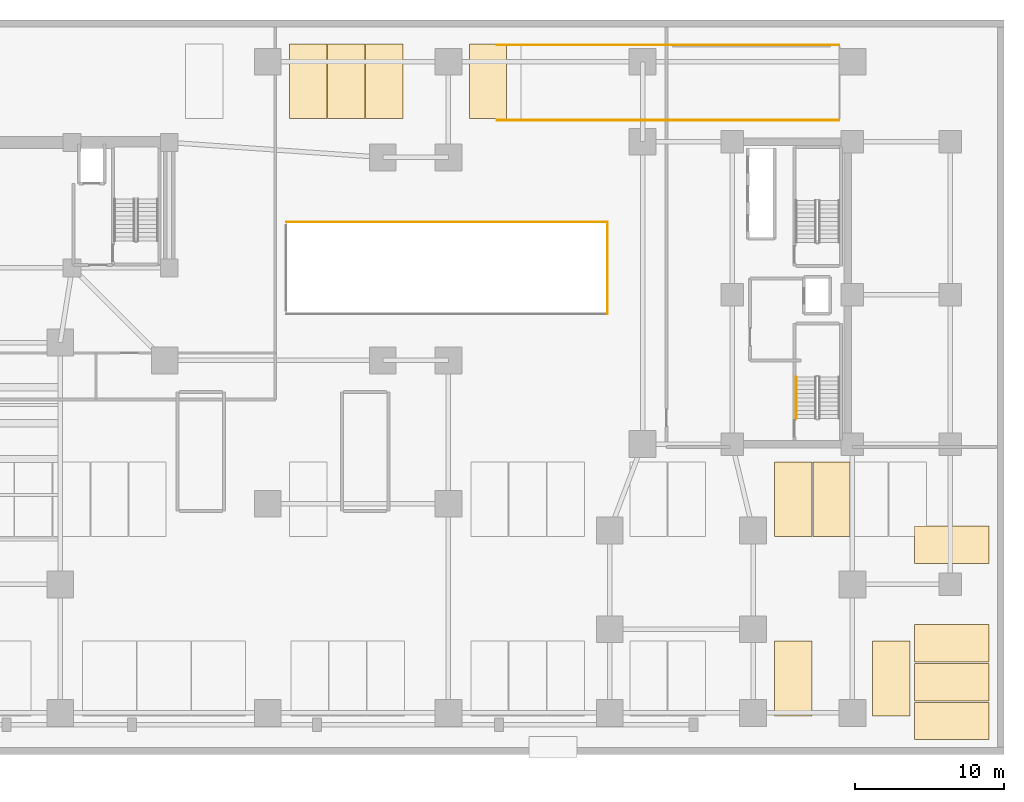
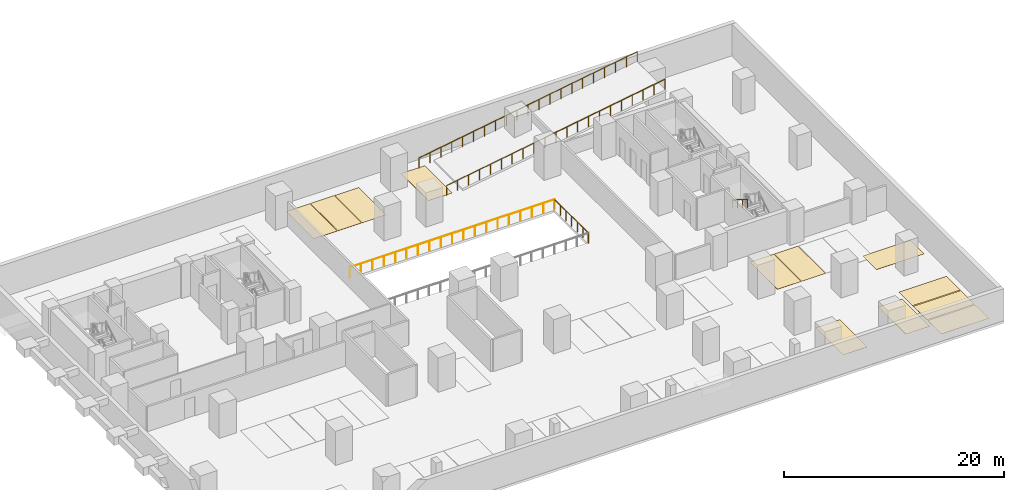
# One storey, part 8 of 9: 12 coverings, 5 railings.
"""IFC4 building model written with IfcOpenShell, lengths in metres."""

from ifc_helpers import new_model, si_unit, direction, frame, origin, origin_2d, place, context, subcontext, project, spatial, polyline, circle, outline, extrude, material, layer, layer_set, type_object, element, save


model = new_model("IFC4")

# Units and contexts
model_context = context("Model", 3, precision=1e-05, world=origin(), true_north=direction((0.0, 1.0)))
body_context = subcontext(model_context, "Body", "Model", "MODEL_VIEW")
ifc_project = project(units=[si_unit("LENGTHUNIT", "METRE"), si_unit("AREAUNIT", "SQUARE_METRE"), si_unit("VOLUMEUNIT", "CUBIC_METRE"), si_unit("PLANEANGLEUNIT", "RADIAN"), si_unit("MASSUNIT", "GRAM", prefix="KILO")], contexts=[model_context])

# Site, building, storey
site_placement = place(None, origin())
site = spatial("IfcSite", under=ifc_project, at=site_placement, CompositionType="ELEMENT")
building_placement = place(site_placement, origin())
building = spatial("IfcBuilding", under=site, at=building_placement, Name="Kuzgunbayir Cultural Tower", CompositionType="ELEMENT")
storey_placement = place(building_placement, frame((0.0, 0.0, -3.800048828125)))
storey = spatial("IfcBuildingStorey", under=building, at=storey_placement, Name="B01", CompositionType="ELEMENT", Elevation=-3.800048828125)

# Coverings
ifc_material_1 = material(Name="Epoxy Car Park Deck Coating", Category="finish")
ifc_layer_1 = layer(ifc_material_1, 0.006103515625)
ifc_layer_set_1 = layer_set([ifc_layer_1], Name="Epoxy Car Park Deck Coating")
covering_type = type_object("IfcCoveringType", Name="COV-PARK-BAY", PredefinedType="FLOORING", material=ifc_layer_set_1)
covering_1_placement = place(storey_placement, origin())
element("IfcCovering", 1, at=covering_1_placement, inside=storey, type_object=covering_type, Name="B01-P009 Car Parking Bay Marking", PredefinedType="FLOORING", context=body_context, shape_type="SweptSolid", body=[
    extrude(outline(polyline([(67.449951171875, 3.800048828125), (69.949951171875, 3.800048828125), (69.949951171875, 8.800048828125), (67.449951171875, 8.800048828125), (67.449951171875, 3.800048828125)])), origin(), (0.0, 0.0, 1.0), 0.010009765625),
])
covering_2_placement = place(storey_placement, origin())
element("IfcCovering", 2, at=covering_2_placement, inside=storey, type_object=covering_type, Name="B01-P010 Car Parking Bay Marking", PredefinedType="FLOORING", context=body_context, shape_type="SweptSolid", body=[
    extrude(outline(polyline([(74.0, 3.800048828125), (76.5, 3.800048828125), (76.5, 8.800048828125), (74.0, 8.800048828125), (74.0, 3.800048828125)])), origin(), (0.0, 0.0, 1.0), 0.010009765625),
])
covering_3_placement = place(storey_placement, origin())
element("IfcCovering", 3, at=covering_3_placement, inside=storey, type_object=covering_type, Name="B01-P022 Car Parking Bay Marking", PredefinedType="FLOORING", context=body_context, shape_type="SweptSolid", body=[
    extrude(outline(polyline([(67.449951171875, 15.800048828125), (69.949951171875, 15.800048828125), (69.949951171875, 20.800048828125), (67.449951171875, 20.800048828125), (67.449951171875, 15.800048828125)])), origin(), (0.0, 0.0, 1.0), 0.010009765625),
])
covering_4_placement = place(storey_placement, origin())
element("IfcCovering", 4, at=covering_4_placement, inside=storey, type_object=covering_type, Name="B01-P023 Car Parking Bay Marking", PredefinedType="FLOORING", context=body_context, shape_type="SweptSolid", body=[
    extrude(outline(polyline([(70.0, 15.800048828125), (72.5, 15.800048828125), (72.5, 20.800048828125), (70.0, 20.800048828125), (70.0, 15.800048828125)])), origin(), (0.0, 0.0, 1.0), 0.010009765625),
])
covering_5_placement = place(storey_placement, origin())
element("IfcCovering", 5, at=covering_5_placement, inside=storey, type_object=covering_type, Name="B01-P028 Car Parking Bay Marking", PredefinedType="FLOORING", context=body_context, shape_type="SweptSolid", body=[
    extrude(outline(polyline([(34.949951171875, 43.800048828125), (37.449951171875, 43.800048828125), (37.449951171875, 48.800048828125), (34.949951171875, 48.800048828125), (34.949951171875, 43.800048828125)])), origin(), (0.0, 0.0, 1.0), 0.010009765625),
])
covering_6_placement = place(storey_placement, origin())
element("IfcCovering", 6, at=covering_6_placement, inside=storey, type_object=covering_type, Name="B01-P029 Car Parking Bay Marking", PredefinedType="FLOORING", context=body_context, shape_type="SweptSolid", body=[
    extrude(outline(polyline([(37.5, 43.800048828125), (40.0, 43.800048828125), (40.0, 48.800048828125), (37.5, 48.800048828125), (37.5, 43.800048828125)])), origin(), (0.0, 0.0, 1.0), 0.010009765625),
])
covering_7_placement = place(storey_placement, origin())
element("IfcCovering", 7, at=covering_7_placement, inside=storey, type_object=covering_type, Name="B01-P030 Car Parking Bay Marking", PredefinedType="FLOORING", context=body_context, shape_type="SweptSolid", body=[
    extrude(outline(polyline([(40.050048828125, 43.800048828125), (42.550048828125, 43.800048828125), (42.550048828125, 48.800048828125), (40.050048828125, 48.800048828125), (40.050048828125, 43.800048828125)])), origin(), (0.0, 0.0, 1.0), 0.010009765625),
])
covering_8_placement = place(storey_placement, origin())
element("IfcCovering", 8, at=covering_8_placement, inside=storey, type_object=covering_type, Name="B01-P031 Car Parking Bay Marking", PredefinedType="FLOORING", context=body_context, shape_type="SweptSolid", body=[
    extrude(outline(polyline([(47.0, 43.800048828125), (49.5, 43.800048828125), (49.5, 48.800048828125), (47.0, 48.800048828125), (47.0, 43.800048828125)])), origin(), (0.0, 0.0, 1.0), 0.010009765625),
])
covering_9_placement = place(storey_placement, origin())
element("IfcCovering", 9, at=covering_9_placement, inside=storey, type_object=covering_type, Name="B01-P032 Car Parking Bay Marking", PredefinedType="FLOORING", context=body_context, shape_type="SweptSolid", body=[
    extrude(outline(polyline([(76.800048828125, 2.199951171875), (81.800048828125, 2.199951171875), (81.800048828125, 4.699951171875), (76.800048828125, 4.699951171875), (76.800048828125, 2.199951171875)])), origin(), (0.0, 0.0, 1.0), 0.010009765625),
])
covering_10_placement = place(storey_placement, origin())
element("IfcCovering", 10, at=covering_10_placement, inside=storey, type_object=covering_type, Name="B01-P033 Car Parking Bay Marking", PredefinedType="FLOORING", context=body_context, shape_type="SweptSolid", body=[
    extrude(outline(polyline([(76.800048828125, 4.800048828125), (81.800048828125, 4.800048828125), (81.800048828125, 7.300048828125), (76.800048828125, 7.300048828125), (76.800048828125, 4.800048828125)])), origin(), (0.0, 0.0, 1.0), 0.010009765625),
])
covering_11_placement = place(storey_placement, origin())
element("IfcCovering", 11, at=covering_11_placement, inside=storey, type_object=covering_type, Name="B01-P034 Car Parking Bay Marking", PredefinedType="FLOORING", context=body_context, shape_type="SweptSolid", body=[
    extrude(outline(polyline([(76.800048828125, 7.39990234375), (81.800048828125, 7.39990234375), (81.800048828125, 9.89990234375), (76.800048828125, 9.89990234375), (76.800048828125, 7.39990234375)])), origin(), (0.0, 0.0, 1.0), 0.010009765625),
])
covering_12_placement = place(storey_placement, origin())
element("IfcCovering", 12, at=covering_12_placement, inside=storey, type_object=covering_type, Name="B01-P035 Car Parking Bay Marking", PredefinedType="FLOORING", context=body_context, shape_type="SweptSolid", body=[
    extrude(outline(polyline([(76.800048828125, 14.0), (81.800048828125, 14.0), (81.800048828125, 16.5), (76.800048828125, 16.5), (76.800048828125, 14.0)])), origin(), (0.0, 0.0, 1.0), 0.010009765625),
])

# Railings
ifc_material_2 = material(Name="Brushed Stainless Steel", Category="steel")
ifc_layer_2 = layer(ifc_material_2, 0.050048828125)
ifc_layer_set_2 = layer_set([ifc_layer_2], Name="Brushed Stainless Steel")
railing_type_1 = type_object("IfcRailingType", Name="RLG-STAIR-HANDRAIL", PredefinedType="HANDRAIL", material=ifc_layer_set_2)
railing_1_placement = place(storey_placement, frame((68.889892578125, 26.5, 2.07275390625)))
element("IfcRailing", 13, at=railing_1_placement, inside=storey, type_object=railing_type_1, Name="B01 ST-3 stair handrail 2", PredefinedType="HANDRAIL", context=body_context, shape_type="SweptSolid", body=[
    extrude(circle(Radius=0.02392578125, at=origin_2d()), frame((0.0, 0.0, 0.8759765625), z_axis=(0.0, -0.851089632645, 0.525020415988), x_axis=(1.0, 0.0, 0.0)), (0.0, 0.0, 1.0), 3.2900390625),
    extrude(circle(Radius=0.02099609375, at=origin_2d()), origin(), (0.0, 0.0, 1.0), 0.851806640625),
    extrude(circle(Radius=0.02099609375, at=origin_2d()), frame((0.0, -0.933349609375, 0.57568359375)), (0.0, 0.0, 1.0), 0.851806640625),
    extrude(circle(Radius=0.02099609375, at=origin_2d()), frame((0.0, -1.86669921875, 1.151611328125)), (0.0, 0.0, 1.0), 0.851806640625),
    extrude(circle(Radius=0.02099609375, at=origin_2d()), frame((0.0, -2.800048828125, 1.727294921875)), (0.0, 0.0, 1.0), 0.851806640625),
])
ifc_material_3 = material(Name="Painted Steel Balustrade", Category="steel")
ifc_layer_3 = layer(ifc_material_3, 0.06005859375)
ifc_layer_set_3 = layer_set([ifc_layer_3], Name="Painted Steel Balustrade")
railing_type_2 = type_object("IfcRailingType", Name="RLG-WELL-GUARD", PredefinedType="GUARDRAIL", material=ifc_layer_set_3)
railing_2_placement = place(storey_placement, frame((34.75, 36.8798828125, 0.0)))
element("IfcRailing", 14, at=railing_2_placement, inside=storey, type_object=railing_type_2, Name="B01 Ramp VR-2 North Guard", PredefinedType="GUARDRAIL", context=body_context, shape_type="SweptSolid", body=[
    extrude(circle(Radius=0.02392578125, at=origin_2d()), frame((0.0, 0.0, 1.1259765625), z_axis=(1.0, 0.0, 0.0), x_axis=(0.0, 1.0, 0.0)), (0.0, 0.0, 1.0), 21.5),
    extrude(circle(Radius=0.02099609375, at=origin_2d()), origin(), (0.0, 0.0, 1.0), 1.101806640625),
    extrude(circle(Radius=0.02099609375, at=origin_2d()), frame((1.1943359375, 0.0, 0.0)), (0.0, 0.0, 1.0), 1.101806640625),
    extrude(circle(Radius=0.02099609375, at=origin_2d()), frame((2.388916015625, 0.0, 0.0)), (0.0, 0.0, 1.0), 1.101806640625),
    extrude(circle(Radius=0.02099609375, at=origin_2d()), frame((3.583251953125, 0.0, 0.0)), (0.0, 0.0, 1.0), 1.101806640625),
    extrude(circle(Radius=0.02099609375, at=origin_2d()), frame((4.77783203125, 0.0, 0.0)), (0.0, 0.0, 1.0), 1.101806640625),
    extrude(circle(Radius=0.02099609375, at=origin_2d()), frame((5.97216796875, 0.0, 0.0)), (0.0, 0.0, 1.0), 1.101806640625),
    extrude(circle(Radius=0.02099609375, at=origin_2d()), frame((7.166748046875, 0.0, 0.0)), (0.0, 0.0, 1.0), 1.101806640625),
    extrude(circle(Radius=0.02099609375, at=origin_2d()), frame((8.361083984375, 0.0, 0.0)), (0.0, 0.0, 1.0), 1.101806640625),
    extrude(circle(Radius=0.02099609375, at=origin_2d()), frame((9.5556640625, 0.0, 0.0)), (0.0, 0.0, 1.0), 1.101806640625),
    extrude(circle(Radius=0.02099609375, at=origin_2d()), frame((10.75, 0.0, 0.0)), (0.0, 0.0, 1.0), 1.101806640625),
    extrude(circle(Radius=0.02099609375, at=origin_2d()), frame((11.9443359375, 0.0, 0.0)), (0.0, 0.0, 1.0), 1.101806640625),
    extrude(circle(Radius=0.02099609375, at=origin_2d()), frame((13.138916015625, 0.0, 0.0)), (0.0, 0.0, 1.0), 1.101806640625),
    extrude(circle(Radius=0.02099609375, at=origin_2d()), frame((14.333251953125, 0.0, 0.0)), (0.0, 0.0, 1.0), 1.101806640625),
    extrude(circle(Radius=0.02099609375, at=origin_2d()), frame((15.52783203125, 0.0, 0.0)), (0.0, 0.0, 1.0), 1.101806640625),
    extrude(circle(Radius=0.02099609375, at=origin_2d()), frame((16.72216796875, 0.0, 0.0)), (0.0, 0.0, 1.0), 1.101806640625),
    extrude(circle(Radius=0.02099609375, at=origin_2d()), frame((17.916748046875, 0.0, 0.0)), (0.0, 0.0, 1.0), 1.101806640625),
    extrude(circle(Radius=0.02099609375, at=origin_2d()), frame((19.111083984375, 0.0, 0.0)), (0.0, 0.0, 1.0), 1.101806640625),
    extrude(circle(Radius=0.02099609375, at=origin_2d()), frame((20.3056640625, 0.0, 0.0)), (0.0, 0.0, 1.0), 1.101806640625),
    extrude(circle(Radius=0.02099609375, at=origin_2d()), frame((21.5, 0.0, 0.0)), (0.0, 0.0, 1.0), 1.101806640625),
])
railing_3_placement = place(storey_placement, frame((56.25, 30.719970703125, 0.0)))
element("IfcRailing", 15, at=railing_3_placement, inside=storey, type_object=railing_type_2, Name="B01 Ramp VR-2 East Guard", PredefinedType="GUARDRAIL", context=body_context, shape_type="SweptSolid", body=[
    extrude(circle(Radius=0.02392578125, at=origin_2d()), frame((0.0, 0.0, 1.1259765625), z_axis=(0.0, 1.0, 0.0), x_axis=(-1.0, 0.0, 0.0)), (0.0, 0.0, 1.0), 6.159912109375),
    extrude(circle(Radius=0.02099609375, at=origin_2d()), origin(), (0.0, 0.0, 1.0), 1.101806640625),
    extrude(circle(Radius=0.02099609375, at=origin_2d()), frame((0.0, 1.026611328125, 0.0)), (0.0, 0.0, 1.0), 1.101806640625),
    extrude(circle(Radius=0.02099609375, at=origin_2d()), frame((0.0, 2.05322265625, 0.0)), (0.0, 0.0, 1.0), 1.101806640625),
    extrude(circle(Radius=0.02099609375, at=origin_2d()), frame((0.0, 3.080078125, 0.0)), (0.0, 0.0, 1.0), 1.101806640625),
    extrude(circle(Radius=0.02099609375, at=origin_2d()), frame((0.0, 4.106689453125, 0.0)), (0.0, 0.0, 1.0), 1.101806640625),
    extrude(circle(Radius=0.02099609375, at=origin_2d()), frame((0.0, 5.13330078125, 0.0)), (0.0, 0.0, 1.0), 1.101806640625),
    extrude(circle(Radius=0.02099609375, at=origin_2d()), frame((0.0, 6.159912109375, 0.0)), (0.0, 0.0, 1.0), 1.101806640625),
])
railing_4_placement = place(storey_placement, frame((48.85009765625, 43.679931640625, 0.010009765625)))
element("IfcRailing", 16, at=railing_4_placement, inside=storey, type_object=railing_type_2, Name="B01 Ramp VR-1 Flight South Guard", PredefinedType="GUARDRAIL", context=body_context, shape_type="SweptSolid", body=[
    extrude(circle(Radius=0.02392578125, at=origin_2d()), frame((0.0, 0.0, 1.1259765625), z_axis=(0.986648593487, 0.0, 0.162863602347), x_axis=(0.0, 1.0, 0.0)), (0.0, 0.0, 1.0), 23.209716796875),
    extrude(circle(Radius=0.02099609375, at=origin_2d()), origin(), (0.0, 0.0, 1.0), 1.101806640625),
    extrude(circle(Radius=0.02099609375, at=origin_2d()), frame((1.14501953125, 0.0, 0.18896484375)), (0.0, 0.0, 1.0), 1.101806640625),
    extrude(circle(Radius=0.02099609375, at=origin_2d()), frame((2.2900390625, 0.0, 0.3779296875)), (0.0, 0.0, 1.0), 1.101806640625),
    extrude(circle(Radius=0.02099609375, at=origin_2d()), frame((3.43505859375, 0.0, 0.56689453125)), (0.0, 0.0, 1.0), 1.101806640625),
    extrude(circle(Radius=0.02099609375, at=origin_2d()), frame((4.580078125, 0.0, 0.756103515625)), (0.0, 0.0, 1.0), 1.101806640625),
    extrude(circle(Radius=0.02099609375, at=origin_2d()), frame((5.72509765625, 0.0, 0.945068359375)), (0.0, 0.0, 1.0), 1.101806640625),
    extrude(circle(Radius=0.02099609375, at=origin_2d()), frame((6.869873046875, 0.0, 1.134033203125)), (0.0, 0.0, 1.0), 1.101806640625),
    extrude(circle(Radius=0.02099609375, at=origin_2d()), frame((8.014892578125, 0.0, 1.322998046875)), (0.0, 0.0, 1.0), 1.101806640625),
    extrude(circle(Radius=0.02099609375, at=origin_2d()), frame((9.159912109375, 0.0, 1.511962890625)), (0.0, 0.0, 1.0), 1.101806640625),
    extrude(circle(Radius=0.02099609375, at=origin_2d()), frame((10.304931640625, 0.0, 1.700927734375)), (0.0, 0.0, 1.0), 1.101806640625),
    extrude(circle(Radius=0.02099609375, at=origin_2d()), frame((11.449951171875, 0.0, 1.89013671875)), (0.0, 0.0, 1.0), 1.101806640625),
    extrude(circle(Radius=0.02099609375, at=origin_2d()), frame((12.594970703125, 0.0, 2.0791015625)), (0.0, 0.0, 1.0), 1.101806640625),
    extrude(circle(Radius=0.02099609375, at=origin_2d()), frame((13.739990234375, 0.0, 2.26806640625)), (0.0, 0.0, 1.0), 1.101806640625),
    extrude(circle(Radius=0.02099609375, at=origin_2d()), frame((14.885009765625, 0.0, 2.45703125)), (0.0, 0.0, 1.0), 1.101806640625),
    extrude(circle(Radius=0.02099609375, at=origin_2d()), frame((16.030029296875, 0.0, 2.64599609375)), (0.0, 0.0, 1.0), 1.101806640625),
    extrude(circle(Radius=0.02099609375, at=origin_2d()), frame((17.1748046875, 0.0, 2.8349609375)), (0.0, 0.0, 1.0), 1.101806640625),
    extrude(circle(Radius=0.02099609375, at=origin_2d()), frame((18.31982421875, 0.0, 3.02392578125)), (0.0, 0.0, 1.0), 1.101806640625),
    extrude(circle(Radius=0.02099609375, at=origin_2d()), frame((19.46484375, 0.0, 3.213134765625)), (0.0, 0.0, 1.0), 1.101806640625),
    extrude(circle(Radius=0.02099609375, at=origin_2d()), frame((20.60986328125, 0.0, 3.402099609375)), (0.0, 0.0, 1.0), 1.101806640625),
    extrude(circle(Radius=0.02099609375, at=origin_2d()), frame((21.7548828125, 0.0, 3.591064453125)), (0.0, 0.0, 1.0), 1.101806640625),
    extrude(circle(Radius=0.02099609375, at=origin_2d()), frame((22.89990234375, 0.0, 3.780029296875)), (0.0, 0.0, 1.0), 1.101806640625),
])
railing_5_placement = place(storey_placement, frame((48.85009765625, 48.719970703125, 0.010009765625)))
element("IfcRailing", 17, at=railing_5_placement, inside=storey, type_object=railing_type_2, Name="B01 Ramp VR-1 Flight North Guard", PredefinedType="GUARDRAIL", context=body_context, shape_type="SweptSolid", body=[
    extrude(circle(Radius=0.02392578125, at=origin_2d()), frame((0.0, 0.0, 1.1259765625), z_axis=(0.986648593487, 0.0, 0.162863602347), x_axis=(0.0, 1.0, 0.0)), (0.0, 0.0, 1.0), 23.209716796875),
    extrude(circle(Radius=0.02099609375, at=origin_2d()), origin(), (0.0, 0.0, 1.0), 1.101806640625),
    extrude(circle(Radius=0.02099609375, at=origin_2d()), frame((1.14501953125, 0.0, 0.18896484375)), (0.0, 0.0, 1.0), 1.101806640625),
    extrude(circle(Radius=0.02099609375, at=origin_2d()), frame((2.2900390625, 0.0, 0.3779296875)), (0.0, 0.0, 1.0), 1.101806640625),
    extrude(circle(Radius=0.02099609375, at=origin_2d()), frame((3.43505859375, 0.0, 0.56689453125)), (0.0, 0.0, 1.0), 1.101806640625),
    extrude(circle(Radius=0.02099609375, at=origin_2d()), frame((4.580078125, 0.0, 0.756103515625)), (0.0, 0.0, 1.0), 1.101806640625),
    extrude(circle(Radius=0.02099609375, at=origin_2d()), frame((5.72509765625, 0.0, 0.945068359375)), (0.0, 0.0, 1.0), 1.101806640625),
    extrude(circle(Radius=0.02099609375, at=origin_2d()), frame((6.869873046875, 0.0, 1.134033203125)), (0.0, 0.0, 1.0), 1.101806640625),
    extrude(circle(Radius=0.02099609375, at=origin_2d()), frame((8.014892578125, 0.0, 1.322998046875)), (0.0, 0.0, 1.0), 1.101806640625),
    extrude(circle(Radius=0.02099609375, at=origin_2d()), frame((9.159912109375, 0.0, 1.511962890625)), (0.0, 0.0, 1.0), 1.101806640625),
    extrude(circle(Radius=0.02099609375, at=origin_2d()), frame((10.304931640625, 0.0, 1.700927734375)), (0.0, 0.0, 1.0), 1.101806640625),
    extrude(circle(Radius=0.02099609375, at=origin_2d()), frame((11.449951171875, 0.0, 1.89013671875)), (0.0, 0.0, 1.0), 1.101806640625),
    extrude(circle(Radius=0.02099609375, at=origin_2d()), frame((12.594970703125, 0.0, 2.0791015625)), (0.0, 0.0, 1.0), 1.101806640625),
    extrude(circle(Radius=0.02099609375, at=origin_2d()), frame((13.739990234375, 0.0, 2.26806640625)), (0.0, 0.0, 1.0), 1.101806640625),
    extrude(circle(Radius=0.02099609375, at=origin_2d()), frame((14.885009765625, 0.0, 2.45703125)), (0.0, 0.0, 1.0), 1.101806640625),
    extrude(circle(Radius=0.02099609375, at=origin_2d()), frame((16.030029296875, 0.0, 2.64599609375)), (0.0, 0.0, 1.0), 1.101806640625),
    extrude(circle(Radius=0.02099609375, at=origin_2d()), frame((17.1748046875, 0.0, 2.8349609375)), (0.0, 0.0, 1.0), 1.101806640625),
    extrude(circle(Radius=0.02099609375, at=origin_2d()), frame((18.31982421875, 0.0, 3.02392578125)), (0.0, 0.0, 1.0), 1.101806640625),
    extrude(circle(Radius=0.02099609375, at=origin_2d()), frame((19.46484375, 0.0, 3.213134765625)), (0.0, 0.0, 1.0), 1.101806640625),
    extrude(circle(Radius=0.02099609375, at=origin_2d()), frame((20.60986328125, 0.0, 3.402099609375)), (0.0, 0.0, 1.0), 1.101806640625),
    extrude(circle(Radius=0.02099609375, at=origin_2d()), frame((21.7548828125, 0.0, 3.591064453125)), (0.0, 0.0, 1.0), 1.101806640625),
    extrude(circle(Radius=0.02099609375, at=origin_2d()), frame((22.89990234375, 0.0, 3.780029296875)), (0.0, 0.0, 1.0), 1.101806640625),
])

save(model, "model.ifc")
